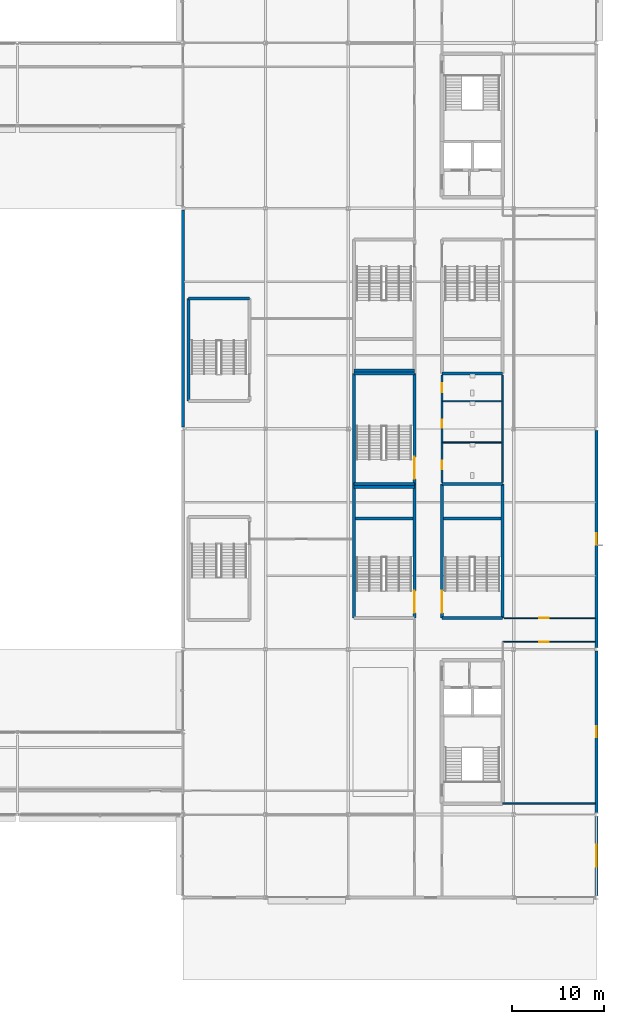
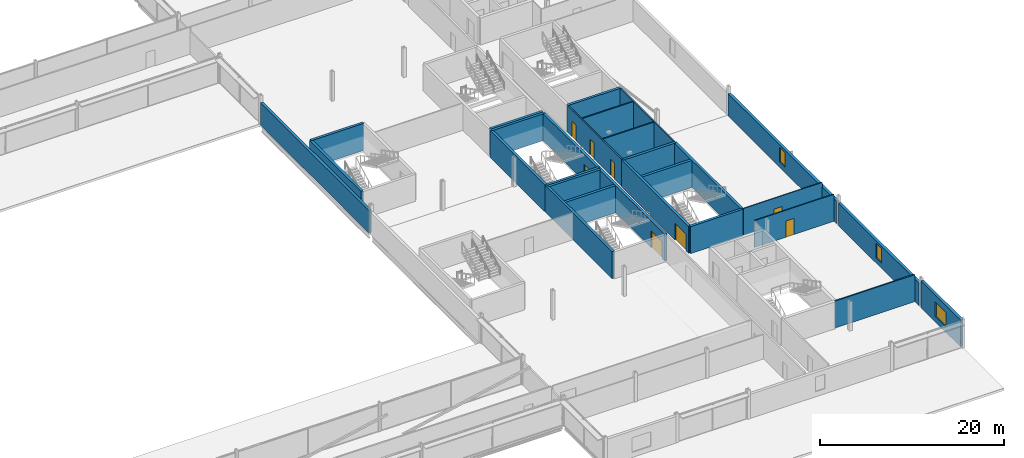
# One storey, part 69 of 105: 28 walls, 8 doors, 3 windows, 11 openings.
"""IFC4 building model written with IfcOpenShell, lengths in metres."""

from ifc_helpers import new_model, si_unit, direction, frame, frame_2d, origin, place, context, subcontext, project, spatial, rectangle, extrude, material, layer, layer_set, type_object, element, fill, save


model = new_model("IFC4")

# Units and contexts
model_context = context("Model", 3, precision=1e-05, world=origin(), true_north=direction((0.0, 1.0)))
body_context = subcontext(model_context, "Body", "Model", "MODEL_VIEW")
ifc_project = project(units=[si_unit("LENGTHUNIT", "METRE"), si_unit("AREAUNIT", "SQUARE_METRE"), si_unit("VOLUMEUNIT", "CUBIC_METRE"), si_unit("PLANEANGLEUNIT", "RADIAN"), si_unit("MASSUNIT", "GRAM", prefix="KILO")], contexts=[model_context])

# Site, building, storey
site_placement = place(None, origin())
site = spatial("IfcSite", under=ifc_project, at=site_placement, CompositionType="ELEMENT")
building_placement = place(site_placement, origin())
building = spatial("IfcBuilding", under=site, at=building_placement, Name="Kisiwana Market Hall", CompositionType="ELEMENT")
storey_placement = place(building_placement, frame((0.0, 0.0, 21.60009765625)))
storey = spatial("IfcBuildingStorey", under=building, at=storey_placement, Name="L04", CompositionType="ELEMENT", Elevation=21.60009765625)

# Walls
ifc_material_1 = material(Name="Concrete C40/50", Category="concrete")
ifc_layer_1 = layer(ifc_material_1, 0.320068359375, Name="Reinforced concrete shaft wall")
ifc_layer_set_1 = layer_set([ifc_layer_1], Name="WL-CORE-320")
wall_type_1 = type_object("IfcWallType", Name="WL-CORE-320", PredefinedType="SHEAR", material=ifc_layer_set_1)
for number, where, z_axis, x_axis, name in (
    (1, (181.199951171875, 39.39990234375, 0.0), (0.0, 0.0, 1.0), (1.0, 0.0, 0.0), "Core E3 south shear wall W-1560"),
    (2, (181.199951171875, 54.0, 0.0), (0.0, 0.0, 1.0), (1.0, 0.0, 0.0), "Core E3 north shear wall W-1561"),
):
    element("IfcWall", number, at=place(storey_placement, frame(where, z_axis=z_axis, x_axis=x_axis)), inside=storey, type_object=wall_type_1, Name=name, PredefinedType="SHEAR", context=body_context, shape_type="SweptSolid", body=[
        extrude(rectangle(XDim=6.60009765625, YDim=0.320068359375, at=frame_2d((3.300048828125, 0.0))), origin(), (0.0, 0.0, 1.0), 3.5849609375),
    ])

# Wall, opening, door
wall_1_placement = place(storey_placement, frame((181.199951171875, 39.39990234375, 0.0), z_axis=(0.0, 0.0, 1.0), x_axis=(0.0, 1.0, 0.0)))
wall_1 = element("IfcWall", 3, at=wall_1_placement, inside=storey, type_object=wall_type_1, Name="Core E3 corridor shear wall W-1562", PredefinedType="SHEAR", context=body_context, shape_type="SweptSolid", body=[
    extrude(rectangle(XDim=14.60009765625, YDim=0.320068359375, at=frame_2d((7.300048828125, 0.0))), origin(), (0.0, 0.0, 1.0), 3.5849609375),
])
opening_1_placement = place(wall_1_placement, frame((0.550048828125, 0.0, 0.0)))
opening_1 = element("IfcOpeningElement", 4, at=opening_1_placement, cuts=wall_1, Name="Opening DR-L04-015", PredefinedType="OPENING", context=body_context, shape_type="SweptSolid", body=[
    extrude(rectangle(XDim=2.39990234375, YDim=2.25, at=frame_2d((1.199951171875, 1.125))), frame((0.0, 0.171875, 0.0), z_axis=(0.0, -1.0, 0.0), x_axis=(1.0, 0.0, 0.0)), (0.0, 0.0, 1.0), 0.343994140625),
])
ifc_material_2 = material(Name="Steel S275", Category="steel")
door_type_1 = type_object("IfcDoorType", Name="DR-STAIR-FD120-2400", OperationType="DOUBLE_DOOR_SINGLE_SWING", PredefinedType="DOOR", material=ifc_material_2)
door_1_placement = place(opening_1_placement, frame((2.39990234375, 0.0, 0.0), z_axis=(0.0, 0.0, 1.0), x_axis=(-1.0, 0.0, 0.0)))
door_1 = element("IfcDoor", 5, at=door_1_placement, inside=storey, type_object=door_type_1, Name="Escape Stair E3 Fire Door (L04)", OperationType="DOUBLE_DOOR_SINGLE_SWING", OverallHeight=2.25, OverallWidth=2.39990234375, PredefinedType="DOOR", context=body_context, shape_type="SweptSolid", body=[
    extrude(rectangle(XDim=2.39990234375, YDim=2.25, at=frame_2d((1.199951171875, 1.125))), frame((0.0, 0.02490234375, 0.0), z_axis=(0.0, -1.0, 0.0), x_axis=(1.0, 0.0, 0.0)), (0.0, 0.0, 1.0), 0.050048828125),
])
fill(opening_1, door_1)

# Walls
wall_2_placement = place(storey_placement, frame((187.800048828125, 39.39990234375, 0.0), z_axis=(0.0, 0.0, 1.0), x_axis=(0.0, 1.0, 0.0)))
element("IfcWall", 6, at=wall_2_placement, inside=storey, type_object=wall_type_1, Name="Core E3 outer shear wall W-1563", PredefinedType="SHEAR", context=body_context, shape_type="SweptSolid", body=[
    extrude(rectangle(XDim=14.60009765625, YDim=0.320068359375, at=frame_2d((7.300048828125, 0.0))), origin(), (0.0, 0.0, 1.0), 3.5849609375),
])
wall_3_placement = place(storey_placement, frame((181.360107421875, 50.219970703125, 0.0), z_axis=(0.0, 0.0, 1.0), x_axis=(1.0, 0.0, 0.0)))
element("IfcWall", 7, at=wall_3_placement, inside=storey, type_object=wall_type_1, Name="Core E3 riser divider shear wall W-1564", PredefinedType="SHEAR", context=body_context, shape_type="SweptSolid", body=[
    extrude(rectangle(XDim=6.27978515625, YDim=0.320068359375, at=frame_2d((3.139892578125, 0.0))), origin(), (0.0, 0.0, 1.0), 3.5849609375),
])
wall_4_placement = place(storey_placement, frame((181.199951171875, 66.0, 0.0), z_axis=(0.0, 0.0, 1.0), x_axis=(1.0, 0.0, 0.0)))
element("IfcWall", 8, at=wall_4_placement, inside=storey, type_object=wall_type_1, Name="Core E4 south shear wall W-1565", PredefinedType="SHEAR", context=body_context, shape_type="SweptSolid", body=[
    extrude(rectangle(XDim=6.60009765625, YDim=0.320068359375, at=frame_2d((3.300048828125, 0.0))), origin(), (0.0, 0.0, 1.0), 3.5849609375),
])
wall_5_placement = place(storey_placement, frame((171.60009765625, 54.0, 0.0), z_axis=(0.0, 0.0, 1.0), x_axis=(1.0, 0.0, 0.0)))
element("IfcWall", 9, at=wall_5_placement, inside=storey, type_object=wall_type_1, Name="Core E7 north shear wall W-1576", PredefinedType="SHEAR", context=body_context, shape_type="SweptSolid", body=[
    extrude(rectangle(XDim=6.599853515625, YDim=0.320068359375, at=frame_2d((3.2998046875, 0.0))), origin(), (0.0, 0.0, 1.0), 3.5849609375),
])
wall_6_placement = place(storey_placement, frame((171.60009765625, 39.39990234375, 0.0), z_axis=(0.0, 0.0, 1.0), x_axis=(0.0, 1.0, 0.0)))
element("IfcWall", 10, at=wall_6_placement, inside=storey, type_object=wall_type_1, Name="Core E7 outer shear wall W-1577", PredefinedType="SHEAR", context=body_context, shape_type="SweptSolid", body=[
    extrude(rectangle(XDim=14.60009765625, YDim=0.320068359375, at=frame_2d((7.300048828125, 0.0))), origin(), (0.0, 0.0, 1.0), 3.5849609375),
])

# Wall, opening, door
wall_7_placement = place(storey_placement, frame((178.199951171875, 39.39990234375, 0.0), z_axis=(0.0, 0.0, 1.0), x_axis=(0.0, 1.0, 0.0)))
wall_7 = element("IfcWall", 11, at=wall_7_placement, inside=storey, type_object=wall_type_1, Name="Core E7 corridor shear wall W-1578", PredefinedType="SHEAR", context=body_context, shape_type="SweptSolid", body=[
    extrude(rectangle(XDim=14.60009765625, YDim=0.320068359375, at=frame_2d((7.300048828125, 0.0))), origin(), (0.0, 0.0, 1.0), 3.5849609375),
])
opening_2_placement = place(wall_7_placement, frame((0.550048828125, 0.0, 0.0)))
opening_2 = element("IfcOpeningElement", 12, at=opening_2_placement, cuts=wall_7, Name="Opening DR-L04-018", PredefinedType="OPENING", context=body_context, shape_type="SweptSolid", body=[
    extrude(rectangle(XDim=2.39990234375, YDim=2.25, at=frame_2d((1.199951171875, 1.125))), frame((0.0, 0.171875, 0.0), z_axis=(0.0, -1.0, 0.0), x_axis=(1.0, 0.0, 0.0)), (0.0, 0.0, 1.0), 0.343994140625),
])
door_2_placement = place(opening_2_placement, origin())
door_2 = element("IfcDoor", 13, at=door_2_placement, inside=storey, type_object=door_type_1, Name="Escape Stair E7 Fire Door (L04)", OperationType="DOUBLE_DOOR_SINGLE_SWING", OverallHeight=2.25, OverallWidth=2.39990234375, PredefinedType="DOOR", context=body_context, shape_type="SweptSolid", body=[
    extrude(rectangle(XDim=2.39990234375, YDim=2.25, at=frame_2d((1.199951171875, 1.125))), frame((0.0, 0.02490234375, 0.0), z_axis=(0.0, -1.0, 0.0), x_axis=(1.0, 0.0, 0.0)), (0.0, 0.0, 1.0), 0.050048828125),
])
fill(opening_2, door_2)

# Walls
wall_8_placement = place(storey_placement, frame((171.760009765625, 50.219970703125, 0.0), z_axis=(0.0, 0.0, 1.0), x_axis=(1.0, 0.0, 0.0)))
element("IfcWall", 14, at=wall_8_placement, inside=storey, type_object=wall_type_1, Name="Core E7 riser divider shear wall W-1579", PredefinedType="SHEAR", context=body_context, shape_type="SweptSolid", body=[
    extrude(rectangle(XDim=6.280029296875, YDim=0.320068359375, at=frame_2d((3.14013671875, 0.0))), origin(), (0.0, 0.0, 1.0), 3.5849609375),
])
wall_9_placement = place(storey_placement, frame((171.60009765625, 66.0, 0.0), z_axis=(0.0, 0.0, 1.0), x_axis=(1.0, 0.0, 0.0)))
element("IfcWall", 15, at=wall_9_placement, inside=storey, type_object=wall_type_1, Name="Core E8 south shear wall W-1585", PredefinedType="SHEAR", context=body_context, shape_type="SweptSolid", body=[
    extrude(rectangle(XDim=6.599853515625, YDim=0.320068359375, at=frame_2d((3.2998046875, 0.0))), origin(), (0.0, 0.0, 1.0), 3.5849609375),
])
wall_10_placement = place(storey_placement, frame((153.6298828125, 74.199951171875, 0.0), z_axis=(0.0, 0.0, 1.0), x_axis=(1.0, 0.0, 0.0)))
element("IfcWall", 16, at=wall_10_placement, inside=storey, type_object=wall_type_1, Name="Core E10 north shear wall W-1603", PredefinedType="SHEAR", context=body_context, shape_type="SweptSolid", body=[
    extrude(rectangle(XDim=6.60009765625, YDim=0.320068359375, at=frame_2d((3.300048828125, 0.0))), origin(), (0.0, 0.0, 1.0), 3.5849609375),
])
wall_11_placement = place(storey_placement, frame((153.6298828125, 63.0, 0.0), z_axis=(0.0, 0.0, 1.0), x_axis=(0.0, 1.0, 0.0)))
element("IfcWall", 17, at=wall_11_placement, inside=storey, type_object=wall_type_1, Name="Core E10 outer shear wall W-1604", PredefinedType="SHEAR", context=body_context, shape_type="SweptSolid", body=[
    extrude(rectangle(XDim=11.199951171875, YDim=0.320068359375, at=frame_2d((5.60009765625, 0.0))), origin(), (0.0, 0.0, 1.0), 3.5849609375),
])
for number, where, z_axis, x_axis, name in (
    (18, (171.60009765625, 53.679931640625, 0.0), (0.0, 0.0, 1.0), (1.0, 0.0, 0.0), "Core E5 south shear wall W-1610"),
    (19, (171.60009765625, 66.320068359375, 0.0), (0.0, 0.0, 1.0), (1.0, 0.0, 0.0), "Core E5 north shear wall W-1611"),
):
    element("IfcWall", number, at=place(storey_placement, frame(where, z_axis=z_axis, x_axis=x_axis)), inside=storey, type_object=wall_type_1, Name=name, PredefinedType="SHEAR", context=body_context, shape_type="SweptSolid", body=[
        extrude(rectangle(XDim=6.599853515625, YDim=0.320068359375, at=frame_2d((3.2998046875, 0.0))), origin(), (0.0, 0.0, 1.0), 3.5849609375),
    ])
wall_12_placement = place(storey_placement, frame((171.60009765625, 54.0, 0.0), z_axis=(0.0, 0.0, 1.0), x_axis=(0.0, 1.0, 0.0)))
element("IfcWall", 20, at=wall_12_placement, inside=storey, type_object=wall_type_1, Name="Core E5 outer shear wall W-1612", PredefinedType="SHEAR", context=body_context, shape_type="SweptSolid", body=[
    extrude(rectangle(XDim=12.0, YDim=0.320068359375, at=frame_2d((6.0, 0.0))), origin(), (0.0, 0.0, 1.0), 3.5849609375),
])

# Wall, opening, door
wall_13_placement = place(storey_placement, frame((178.199951171875, 54.0, 0.0), z_axis=(0.0, 0.0, 1.0), x_axis=(0.0, 1.0, 0.0)))
wall_13 = element("IfcWall", 21, at=wall_13_placement, inside=storey, type_object=wall_type_1, Name="Core E5 corridor shear wall W-1613", PredefinedType="SHEAR", context=body_context, shape_type="SweptSolid", body=[
    extrude(rectangle(XDim=12.0, YDim=0.320068359375, at=frame_2d((6.0, 0.0))), origin(), (0.0, 0.0, 1.0), 3.5849609375),
])
opening_3_placement = place(wall_13_placement, frame((0.550048828125, 0.0, 0.0)))
opening_3 = element("IfcOpeningElement", 22, at=opening_3_placement, cuts=wall_13, Name="Opening DR-L04-026", PredefinedType="OPENING", context=body_context, shape_type="SweptSolid", body=[
    extrude(rectangle(XDim=2.39990234375, YDim=2.25, at=frame_2d((1.199951171875, 1.125))), frame((0.0, 0.171875, 0.0), z_axis=(0.0, -1.0, 0.0), x_axis=(1.0, 0.0, 0.0)), (0.0, 0.0, 1.0), 0.343994140625),
])
door_3_placement = place(opening_3_placement, origin())
door_3 = element("IfcDoor", 23, at=door_3_placement, inside=storey, type_object=door_type_1, Name="Escape Stair E5 Fire Door (L04)", OperationType="DOUBLE_DOOR_SINGLE_SWING", OverallHeight=2.25, OverallWidth=2.39990234375, PredefinedType="DOOR", context=body_context, shape_type="SweptSolid", body=[
    extrude(rectangle(XDim=2.39990234375, YDim=2.25, at=frame_2d((1.199951171875, 1.125))), frame((0.0, 0.02490234375, 0.0), z_axis=(0.0, -1.0, 0.0), x_axis=(1.0, 0.0, 0.0)), (0.0, 0.0, 1.0), 0.050048828125),
])
fill(opening_3, door_3)

# Wall
ifc_material_3 = material(Name="Masonry blockwork", Category="masonry")
ifc_layer_2 = layer(ifc_material_3, 0.169921875, Name="Protected corridor partition")
ifc_layer_set_2 = layer_set([ifc_layer_2], Name="WL-CORR-170")
wall_type_2 = type_object("IfcWallType", Name="WL-CORR-170", PredefinedType="PARTITIONING", material=ifc_layer_set_2)
wall_14_placement = place(storey_placement, frame((187.800048828125, 54.159912109375, 0.0), z_axis=(0.0, 0.0, 1.0), x_axis=(0.0, 1.0, 0.0)))
element("IfcWall", 24, at=wall_14_placement, inside=storey, type_object=wall_type_2, Name="Interior partition W-1670", PredefinedType="PARTITIONING", context=body_context, shape_type="SweptSolid", body=[
    extrude(rectangle(XDim=11.68017578125, YDim=0.169921875, at=frame_2d((5.840087890625, 0.0))), origin(), (0.0, 0.0, 1.0), 3.5849609375),
])

# Wall, openings, doors
wall_15_placement = place(storey_placement, frame((181.199951171875, 54.159912109375, 0.0), z_axis=(0.0, 0.0, 1.0), x_axis=(0.0, 1.0, 0.0)))
wall_15 = element("IfcWall", 25, at=wall_15_placement, inside=storey, type_object=wall_type_2, Name="Interior partition W-1671", PredefinedType="PARTITIONING", context=body_context, shape_type="SweptSolid", body=[
    extrude(rectangle(XDim=11.68017578125, YDim=0.169921875, at=frame_2d((5.840087890625, 0.0))), origin(), (0.0, 0.0, 1.0), 3.5849609375),
])
opening_4_placement = place(wall_15_placement, frame((1.43994140625, 0.0, 0.0)))
opening_4 = element("IfcOpeningElement", 26, at=opening_4_placement, cuts=wall_15, Name="Opening DR-L04-046", PredefinedType="OPENING", context=body_context, shape_type="SweptSolid", body=[
    extrude(rectangle(XDim=0.89990234375, YDim=2.10009765625, at=frame_2d((0.449951171875, 1.050048828125))), frame((0.0, 0.096923828125, 0.0), z_axis=(0.0, -1.0, 0.0), x_axis=(1.0, 0.0, 0.0)), (0.0, 0.0, 1.0), 0.19384765625),
])
opening_5_placement = place(wall_15_placement, frame((5.93994140625, 0.0, 0.0)))
opening_5 = element("IfcOpeningElement", 27, at=opening_5_placement, cuts=wall_15, Name="Opening DR-L04-047", PredefinedType="OPENING", context=body_context, shape_type="SweptSolid", body=[
    extrude(rectangle(XDim=0.89990234375, YDim=2.10009765625, at=frame_2d((0.449951171875, 1.050048828125))), frame((0.0, 0.096923828125, 0.0), z_axis=(0.0, -1.0, 0.0), x_axis=(1.0, 0.0, 0.0)), (0.0, 0.0, 1.0), 0.19384765625),
])
opening_6_placement = place(wall_15_placement, frame((9.840087890625, 0.0, 0.0)))
opening_6 = element("IfcOpeningElement", 28, at=opening_6_placement, cuts=wall_15, Name="Opening DR-L04-048", PredefinedType="OPENING", context=body_context, shape_type="SweptSolid", body=[
    extrude(rectangle(XDim=0.949951171875, YDim=2.10009765625, at=frame_2d((0.47509765625, 1.050048828125))), frame((0.0, 0.096923828125, 0.0), z_axis=(0.0, -1.0, 0.0), x_axis=(1.0, 0.0, 0.0)), (0.0, 0.0, 1.0), 0.19384765625),
])
ifc_material_4 = material(Name="Aluminium alloy 6063-T6", Category="aluminium")
door_type_2 = type_object("IfcDoorType", Name="DR-WC-ACC-950", OperationType="NOTDEFINED", PredefinedType="DOOR", material=ifc_material_4)
door_4_placement = place(opening_6_placement, frame((0.949951171875, 0.0, 0.0), z_axis=(0.0, 0.0, 1.0), x_axis=(-1.0, 0.0, 0.0)))
door_4 = element("IfcDoor", 29, at=door_4_placement, inside=storey, type_object=door_type_2, Name="L04 E Accessible WC Door", OperationType="SINGLE_SWING_LEFT", OverallHeight=2.10009765625, OverallWidth=0.949951171875, PredefinedType="DOOR", context=body_context, shape_type="SweptSolid", body=[
    extrude(rectangle(XDim=0.949951171875, YDim=2.10009765625, at=frame_2d((0.47509765625, 1.050048828125))), frame((0.0, 0.02490234375, 0.0), z_axis=(0.0, -1.0, 0.0), x_axis=(1.0, 0.0, 0.0)), (0.0, 0.0, 1.0), 0.050048828125),
])
fill(opening_6, door_4)
ifc_material_5 = material(Name="Aluminium alloy 6063-T6", Category="aluminium")
door_type_3 = type_object("IfcDoorType", Name="DR-WC-STD-900", OperationType="NOTDEFINED", PredefinedType="DOOR", material=ifc_material_5)
door_5_placement = place(opening_4_placement, frame((0.89990234375, 0.0, 0.0), z_axis=(0.0, 0.0, 1.0), x_axis=(-1.0, 0.0, 0.0)))
door_5 = element("IfcDoor", 30, at=door_5_placement, inside=storey, type_object=door_type_3, Name="L04 E Male Toilet Door", OperationType="SINGLE_SWING_RIGHT", OverallHeight=2.10009765625, OverallWidth=0.89990234375, PredefinedType="DOOR", context=body_context, shape_type="SweptSolid", body=[
    extrude(rectangle(XDim=0.89990234375, YDim=2.10009765625, at=frame_2d((0.449951171875, 1.050048828125))), frame((0.0, 0.02490234375, 0.0), z_axis=(0.0, -1.0, 0.0), x_axis=(1.0, 0.0, 0.0)), (0.0, 0.0, 1.0), 0.050048828125),
])
fill(opening_4, door_5)
door_6_placement = place(opening_5_placement, frame((0.89990234375, 0.0, 0.0), z_axis=(0.0, 0.0, 1.0), x_axis=(-1.0, 0.0, 0.0)))
door_6 = element("IfcDoor", 31, at=door_6_placement, inside=storey, type_object=door_type_3, Name="L04 E Female Toilet Door", OperationType="SINGLE_SWING_LEFT", OverallHeight=2.10009765625, OverallWidth=0.89990234375, PredefinedType="DOOR", context=body_context, shape_type="SweptSolid", body=[
    extrude(rectangle(XDim=0.89990234375, YDim=2.10009765625, at=frame_2d((0.449951171875, 1.050048828125))), frame((0.0, 0.02490234375, 0.0), z_axis=(0.0, -1.0, 0.0), x_axis=(1.0, 0.0, 0.0)), (0.0, 0.0, 1.0), 0.050048828125),
])
fill(opening_5, door_6)

# Walls
wall_16_placement = place(storey_placement, frame((187.800048828125, 19.199951171875, 0.0), z_axis=(0.0, 0.0, 1.0), x_axis=(1.0, 0.0, 0.0)))
element("IfcWall", 32, at=wall_16_placement, inside=storey, type_object=wall_type_2, Name="Interior partition W-1676", PredefinedType="PARTITIONING", context=body_context, shape_type="SweptSolid", body=[
    extrude(rectangle(XDim=10.054931640625, YDim=0.169921875, at=frame_2d((5.02734375, 0.0))), origin(), (0.0, 0.0, 1.0), 3.5849609375),
])
ifc_material_6 = material(Name="Concrete C40/50 precast", Category="concrete")
ifc_layer_3 = layer(ifc_material_6, 0.14990234375, Name="Precast architectural concrete spandrel")
ifc_material_7 = material(Name="Mineral wool insulation")
ifc_layer_4 = layer(ifc_material_7, 0.090087890625, Name="Rockwool thermal insulation")
ifc_material_8 = material(Name="Masonry blockwork", Category="masonry")
ifc_layer_5 = layer(ifc_material_8, 0.10009765625, Name="Inner masonry block leaf")
ifc_layer_set_3 = layer_set([ifc_layer_3, ifc_layer_4, ifc_layer_5], Name="WL-EXT-PREC-340")
wall_type_3 = type_object("IfcWallType", Name="WL-EXT-PREC-340", PredefinedType="STANDARD", material=ifc_layer_set_3)
wall_17_placement = place(storey_placement, frame((153.0, 60.18212890625, 0.0), z_axis=(0.0, 0.0, 1.0), x_axis=(0.0, 1.0, 0.0)))
element("IfcWall", 33, at=wall_17_placement, inside=storey, type_object=wall_type_3, Name="Exterior wall W-1632", PredefinedType="STANDARD", context=body_context, shape_type="SweptSolid", body=[
    extrude(rectangle(XDim=23.6357421875, YDim=0.340087890625, at=frame_2d((11.81787109375, 0.0))), origin(), (0.0, 0.0, 1.0), 2.97265625),
])

# Wall, opening, window
wall_18_placement = place(storey_placement, frame((198.0, 9.18212890625, 0.0), z_axis=(0.0, 0.0, 1.0), x_axis=(0.0, 1.0, 0.0)))
wall_18 = element("IfcWall", 34, at=wall_18_placement, inside=storey, type_object=wall_type_3, Name="Exterior wall W-1633", PredefinedType="STANDARD", context=body_context, shape_type="SweptSolid", body=[
    extrude(rectangle(XDim=8.6357421875, YDim=0.340087890625, at=frame_2d((4.31787109375, 0.0))), origin(), (0.0, 0.0, 1.0), 3.5849609375),
])
opening_7_placement = place(wall_18_placement, frame((3.117919921875, 0.0, 0.699951171875)))
opening_7 = element("IfcOpeningElement", 35, at=opening_7_placement, cuts=wall_18, Name="Opening WN-27", PredefinedType="OPENING", context=body_context, shape_type="SweptSolid", body=[
    extrude(rectangle(XDim=2.39990234375, YDim=1.949951171875, at=frame_2d((1.199951171875, 0.97509765625))), frame((0.0, 0.18212890625, 0.0), z_axis=(0.0, -1.0, 0.0), x_axis=(1.0, 0.0, 0.0)), (0.0, 0.0, 1.0), 0.364013671875),
])
ifc_material_9 = material(Name="Double-glazed solar-control low-E IGU", Category="glass")
window_type_1 = type_object("IfcWindowType", Name="WN-OFFA-2400x1950", PartitioningType="SINGLE_PANEL", PredefinedType="WINDOW", material=ifc_material_9)
window_1_placement = place(opening_7_placement, origin())
window_1 = element("IfcWindow", 36, at=window_1_placement, inside=storey, type_object=window_type_1, Name="Exterior window WN-166", OverallHeight=1.949951171875, OverallWidth=2.39990234375, PartitioningType="SINGLE_PANEL", PredefinedType="WINDOW", context=body_context, shape_type="SweptSolid", body=[
    extrude(rectangle(XDim=2.39990234375, YDim=1.949951171875, at=frame_2d((1.199951171875, 0.97509765625))), frame((0.0, 0.030029296875, 0.0), z_axis=(0.0, -1.0, 0.0), x_axis=(1.0, 0.0, 0.0)), (0.0, 0.0, 1.0), 0.06005859375),
])
fill(opening_7, window_1)

wall_19_placement = place(storey_placement, frame((198.0, 18.18212890625, 0.0), z_axis=(0.0, 0.0, 1.0), x_axis=(0.0, 1.0, 0.0)))
wall_19 = element("IfcWall", 37, at=wall_19_placement, inside=storey, type_object=wall_type_3, Name="Exterior wall W-1634", PredefinedType="STANDARD", context=body_context, shape_type="SweptSolid", body=[
    extrude(rectangle(XDim=17.6357421875, YDim=0.340087890625, at=frame_2d((8.81787109375, 0.0))), origin(), (0.0, 0.0, 1.0), 2.97265625),
])
opening_8_placement = place(wall_19_placement, frame((8.2177734375, 0.0, 0.699951171875)))
opening_8 = element("IfcOpeningElement", 38, at=opening_8_placement, cuts=wall_19, Name="Opening WN-15", PredefinedType="OPENING", context=body_context, shape_type="SweptSolid", body=[
    extrude(rectangle(XDim=1.199951171875, YDim=1.949951171875, at=frame_2d((0.60009765625, 0.97509765625))), frame((0.0, 0.18212890625, 0.0), z_axis=(0.0, -1.0, 0.0), x_axis=(1.0, 0.0, 0.0)), (0.0, 0.0, 1.0), 0.364013671875),
])
ifc_material_10 = material(Name="Double-glazed solar-control low-E IGU", Category="glass")
window_type_2 = type_object("IfcWindowType", Name="WN-OFFA-1200x1950", PartitioningType="SINGLE_PANEL", PredefinedType="WINDOW", material=ifc_material_10)
window_2_placement = place(opening_8_placement, origin())
window_2 = element("IfcWindow", 39, at=window_2_placement, inside=storey, type_object=window_type_2, Name="Exterior window WN-151", OverallHeight=1.949951171875, OverallWidth=1.199951171875, PartitioningType="SINGLE_PANEL", PredefinedType="WINDOW", context=body_context, shape_type="SweptSolid", body=[
    extrude(rectangle(XDim=1.199951171875, YDim=1.949951171875, at=frame_2d((0.60009765625, 0.97509765625))), frame((0.0, 0.030029296875, 0.0), z_axis=(0.0, -1.0, 0.0), x_axis=(1.0, 0.0, 0.0)), (0.0, 0.0, 1.0), 0.06005859375),
])
fill(opening_8, window_2)

wall_20_placement = place(storey_placement, frame((198.0, 36.18212890625, 0.0), z_axis=(0.0, 0.0, 1.0), x_axis=(0.0, 1.0, 0.0)))
wall_20 = element("IfcWall", 40, at=wall_20_placement, inside=storey, type_object=wall_type_3, Name="Exterior wall W-1635", PredefinedType="STANDARD", context=body_context, shape_type="SweptSolid", body=[
    extrude(rectangle(XDim=23.6357421875, YDim=0.340087890625, at=frame_2d((11.81787109375, 0.0))), origin(), (0.0, 0.0, 1.0), 2.97265625),
])
opening_9_placement = place(wall_20_placement, frame((11.2177734375, 0.0, 0.699951171875)))
opening_9 = element("IfcOpeningElement", 41, at=opening_9_placement, cuts=wall_20, Name="Opening WN-15", PredefinedType="OPENING", context=body_context, shape_type="SweptSolid", body=[
    extrude(rectangle(XDim=1.199951171875, YDim=1.949951171875, at=frame_2d((0.60009765625, 0.97509765625))), frame((0.0, 0.18212890625, 0.0), z_axis=(0.0, -1.0, 0.0), x_axis=(1.0, 0.0, 0.0)), (0.0, 0.0, 1.0), 0.364013671875),
])
window_3_placement = place(opening_9_placement, origin())
window_3 = element("IfcWindow", 42, at=window_3_placement, inside=storey, type_object=window_type_2, Name="Exterior window WN-152", OverallHeight=1.949951171875, OverallWidth=1.199951171875, PartitioningType="SINGLE_PANEL", PredefinedType="WINDOW", context=body_context, shape_type="SweptSolid", body=[
    extrude(rectangle(XDim=1.199951171875, YDim=1.949951171875, at=frame_2d((0.60009765625, 0.97509765625))), frame((0.0, 0.030029296875, 0.0), z_axis=(0.0, -1.0, 0.0), x_axis=(1.0, 0.0, 0.0)), (0.0, 0.0, 1.0), 0.06005859375),
])
fill(opening_9, window_3)

# Wall, opening, door
ifc_material_11 = material(Name="Masonry blockwork", Category="masonry")
ifc_layer_6 = layer(ifc_material_11, 0.110107421875)
ifc_layer_set_4 = layer_set([ifc_layer_6], Name="WL-PART-110")
wall_type_4 = type_object("IfcWallType", Name="WL-PART-110", PredefinedType="PARTITIONING", material=ifc_layer_set_4)
wall_21_placement = place(storey_placement, frame((187.800048828125, 36.800048828125, 0.0), z_axis=(0.0, 0.0, 1.0), x_axis=(1.0, 0.0, 0.0)))
wall_21 = element("IfcWall", 43, at=wall_21_placement, inside=storey, type_object=wall_type_4, Name="Interior partition W-1678", PredefinedType="PARTITIONING", context=body_context, shape_type="SweptSolid", body=[
    extrude(rectangle(XDim=10.054931640625, YDim=0.110107421875, at=frame_2d((5.02734375, 0.0))), origin(), (0.0, 0.0, 1.0), 3.5849609375),
])
opening_10_placement = place(wall_21_placement, frame((4.0, 0.0, 0.0)))
opening_10 = element("IfcOpeningElement", 44, at=opening_10_placement, cuts=wall_21, Name="Opening DR-L04-049", PredefinedType="OPENING", context=body_context, shape_type="SweptSolid", body=[
    extrude(rectangle(XDim=1.0, YDim=2.14990234375, at=frame_2d((0.5, 1.074951171875))), frame((0.0, 0.06689453125, 0.0), z_axis=(0.0, -1.0, 0.0), x_axis=(1.0, 0.0, 0.0)), (0.0, 0.0, 1.0), 0.134033203125),
])
ifc_material_12 = material(Name="Aluminium alloy 6063-T6", Category="aluminium")
door_type_4 = type_object("IfcDoorType", Name="DR-OFF-1000", OperationType="NOTDEFINED", PredefinedType="DOOR", material=ifc_material_12)
door_7_placement = place(opening_10_placement, frame((1.0, 0.0, 0.0), z_axis=(0.0, 0.0, 1.0), x_axis=(-1.0, 0.0, 0.0)))
door_7 = element("IfcDoor", 45, at=door_7_placement, inside=storey, type_object=door_type_4, Name="L04 E Commercial Office South Door", OperationType="SINGLE_SWING_RIGHT", OverallHeight=2.14990234375, OverallWidth=1.0, PredefinedType="DOOR", context=body_context, shape_type="SweptSolid", body=[
    extrude(rectangle(XDim=1.0, YDim=2.14990234375, at=frame_2d((0.5, 1.074951171875))), frame((0.0, 0.02490234375, 0.0), z_axis=(0.0, -1.0, 0.0), x_axis=(1.0, 0.0, 0.0)), (0.0, 0.0, 1.0), 0.050048828125),
])
fill(opening_10, door_7)

wall_22_placement = place(storey_placement, frame((187.9599609375, 39.39990234375, 0.0), z_axis=(0.0, 0.0, 1.0), x_axis=(1.0, 0.0, 0.0)))
wall_22 = element("IfcWall", 46, at=wall_22_placement, inside=storey, type_object=wall_type_4, Name="Interior partition W-1679", PredefinedType="PARTITIONING", context=body_context, shape_type="SweptSolid", body=[
    extrude(rectangle(XDim=9.89501953125, YDim=0.110107421875, at=frame_2d((4.947509765625, 0.0))), origin(), (0.0, 0.0, 1.0), 3.5849609375),
])
opening_11_placement = place(wall_22_placement, frame((3.840087890625, 0.0, 0.0)))
opening_11 = element("IfcOpeningElement", 47, at=opening_11_placement, cuts=wall_22, Name="Opening DR-L04-050", PredefinedType="OPENING", context=body_context, shape_type="SweptSolid", body=[
    extrude(rectangle(XDim=1.0, YDim=2.14990234375, at=frame_2d((0.5, 1.074951171875))), frame((0.0, 0.06689453125, 0.0), z_axis=(0.0, -1.0, 0.0), x_axis=(1.0, 0.0, 0.0)), (0.0, 0.0, 1.0), 0.134033203125),
])
door_8_placement = place(opening_11_placement, origin())
door_8 = element("IfcDoor", 48, at=door_8_placement, inside=storey, type_object=door_type_4, Name="L04 E Commercial Office Central Door", OperationType="SINGLE_SWING_LEFT", OverallHeight=2.14990234375, OverallWidth=1.0, PredefinedType="DOOR", context=body_context, shape_type="SweptSolid", body=[
    extrude(rectangle(XDim=1.0, YDim=2.14990234375, at=frame_2d((0.5, 1.074951171875))), frame((0.0, 0.02490234375, 0.0), z_axis=(0.0, -1.0, 0.0), x_axis=(1.0, 0.0, 0.0)), (0.0, 0.0, 1.0), 0.050048828125),
])
fill(opening_11, door_8)

# Walls
ifc_material_13 = material(Name="Masonry blockwork", Category="masonry")
ifc_layer_7 = layer(ifc_material_13, 0.14990234375, Name="Water-resistant sanitary block wall")
ifc_layer_set_5 = layer_set([ifc_layer_7], Name="WL-WET-150")
wall_type_5 = type_object("IfcWallType", Name="WL-WET-150", PredefinedType="PARTITIONING", material=ifc_layer_set_5)
for number, where, z_axis, x_axis, name in (
    (49, (181.284912109375, 58.5, 0.0), (0.0, 0.0, 1.0), (1.0, 0.0, 0.0), "Interior partition W-1672"),
    (50, (181.284912109375, 63.0, 0.0), (0.0, 0.0, 1.0), (1.0, 0.0, 0.0), "Interior partition W-1673"),
):
    element("IfcWall", number, at=place(storey_placement, frame(where, z_axis=z_axis, x_axis=x_axis)), inside=storey, type_object=wall_type_5, Name=name, PredefinedType="PARTITIONING", context=body_context, shape_type="SweptSolid", body=[
        extrude(rectangle(XDim=6.43017578125, YDim=0.14990234375, at=frame_2d((3.215087890625, 0.0))), origin(), (0.0, 0.0, 1.0), 3.5849609375),
    ])

save(model, "model.ifc")
